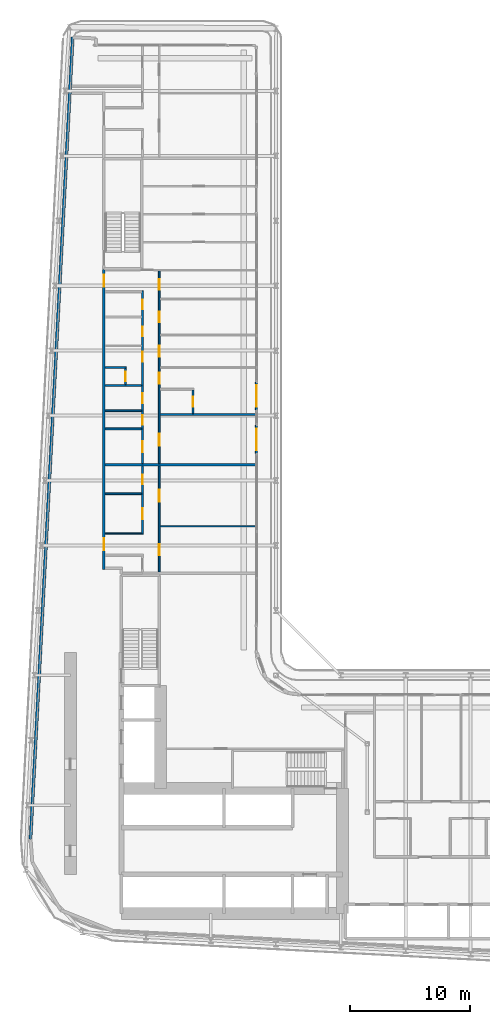
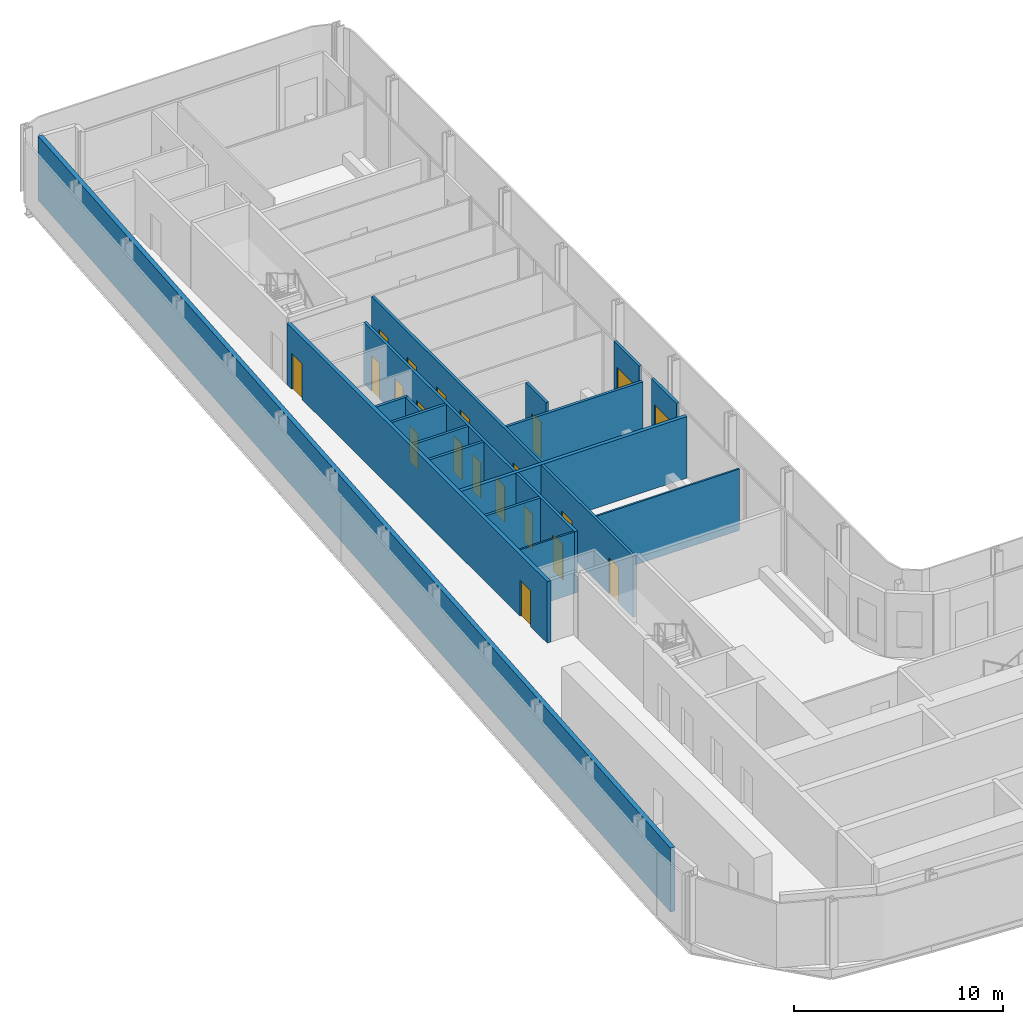
# One storey, part 16 of 27: 21 doors, 19 walls, 21 openings.
"""IFC4 building model written with IfcOpenShell, lengths in metres."""

from ifc_helpers import new_model, si_unit, direction, frame, frame_2d, origin, place, context, subcontext, project, spatial, rectangle, extrude, source, transform, mapped, material, layer, layer_set, type_object, element, fill, save


model = new_model("IFC4")

# Units and contexts
model_context = context("Model", 3, precision=1e-05, world=origin(), true_north=direction((0.0, 1.0)))
body_context = subcontext(model_context, "Body", "Model", "MODEL_VIEW")
ifc_project = project(units=[si_unit("LENGTHUNIT", "METRE"), si_unit("AREAUNIT", "SQUARE_METRE"), si_unit("VOLUMEUNIT", "CUBIC_METRE"), si_unit("PLANEANGLEUNIT", "RADIAN"), si_unit("MASSUNIT", "GRAM", prefix="KILO")], contexts=[model_context])

# Site, building, storey
site_placement = place(None, origin())
site = spatial("IfcSite", under=ifc_project, at=site_placement, CompositionType="ELEMENT")
building_placement = place(site_placement, origin())
building = spatial("IfcBuilding", under=site, at=building_placement, Name="Kheshtan School and Residences Tower", CompositionType="ELEMENT")
storey_placement = place(building_placement, frame((0.0, 0.0, 50.0)))
storey = spatial("IfcBuildingStorey", under=building, at=storey_placement, Name="L11", CompositionType="ELEMENT", Elevation=50.0)

# Wall, openings, doors
ifc_material_1 = material(Name="Gypsum board on steel studs with fire boards", Category="steel")
ifc_layer_1 = layer(ifc_material_1, 0.199951171875)
ifc_layer_set_1 = layer_set([ifc_layer_1], Name="Corridor wall 200")
wall_type_1 = type_object("IfcWallType", Name="Corridor wall 200", PredefinedType="PARTITIONING", material=ifc_layer_set_1)
wall_1_placement = place(storey_placement, frame((33.300048828125, 54.39990234375, 0.0), z_axis=(0.0, 0.0, 1.0), x_axis=(0.0, 1.0, 0.0)))
wall_1 = element("IfcWall", 1, at=wall_1_placement, inside=storey, type_object=wall_type_1, Name="Partition L11-003", PredefinedType="PARTITIONING", context=body_context, shape_type="SweptSolid", body=[
    extrude(rectangle(XDim=24.9501953125, YDim=0.199951171875, at=frame_2d((12.47509765625, 0.0))), origin(), (0.0, 0.0, 1.0), 3.60009765625),
])
opening_1_placement = place(wall_1_placement, frame((1.60009765625, 0.0, 0.0)))
opening_1 = element("IfcOpeningElement", 2, at=opening_1_placement, cuts=wall_1, Name="Opening D10-028", PredefinedType="OPENING", context=body_context, shape_type="SweptSolid", body=[
    extrude(rectangle(XDim=1.0, YDim=2.10009765625, at=frame_2d((0.5, 1.050048828125))), frame((0.0, 0.10986328125, 0.0), z_axis=(0.0, -1.0, 0.0), x_axis=(1.0, 0.0, 0.0)), (0.0, 0.0, 1.0), 0.219970703125),
])
opening_2_placement = place(wall_1_placement, frame((23.5, 0.0, 0.0)))
opening_2 = element("IfcOpeningElement", 3, at=opening_2_placement, cuts=wall_1, Name="Opening D10-038", PredefinedType="OPENING", context=body_context, shape_type="SweptSolid", body=[
    extrude(rectangle(XDim=1.0, YDim=2.10009765625, at=frame_2d((0.5, 1.050048828125))), frame((0.0, 0.10986328125, 0.0), z_axis=(0.0, -1.0, 0.0), x_axis=(1.0, 0.0, 0.0)), (0.0, 0.0, 1.0), 0.219970703125),
])
ifc_material_2 = material(Name="Steel-framed fire-resisting door leaf", Category="steel")
door_type_1 = type_object("IfcDoorType", Name="Fire door FD30S 1000 x 2100", OperationType="SINGLE_SWING_LEFT", PredefinedType="DOOR", material=ifc_material_2)
shared_shape_1 = source(origin(), body_context, "Body", "SweptSolid", [
    extrude(rectangle(XDim=1.0, YDim=2.10009765625, at=frame_2d((0.5, 1.050048828125))), frame((0.0, 0.02490234375, 0.0), z_axis=(0.0, -1.0, 0.0), x_axis=(1.0, 0.0, 0.0)), (0.0, 0.0, 1.0), 0.050048828125),
])
door_1_placement = place(opening_1_placement, origin())
door_1 = element("IfcDoor", 4, at=door_1_placement, inside=storey, type_object=door_type_1, Name="Door D10-028", OperationType="SINGLE_SWING_LEFT", OverallHeight=2.10009765625, OverallWidth=1.0, PredefinedType="DOOR", context=body_context, shape_type="MappedRepresentation", body=[
    mapped(shared_shape_1, transform((0.0, 0.0, 0.0), x_axis=(1.0, 0.0, 0.0), y_axis=(0.0, 1.0, 0.0), z_axis=(0.0, 0.0, 1.0), scale=1.0)),
])
fill(opening_1, door_1)
door_2_placement = place(opening_2_placement, origin())
door_2 = element("IfcDoor", 5, at=door_2_placement, inside=storey, type_object=door_type_1, Name="Door D10-038", OperationType="SINGLE_SWING_RIGHT", OverallHeight=2.10009765625, OverallWidth=1.0, PredefinedType="DOOR", context=body_context, shape_type="MappedRepresentation", body=[
    mapped(shared_shape_1, transform((0.0, 0.0, 0.0), x_axis=(1.0, 0.0, 0.0), y_axis=(0.0, 1.0, 0.0), z_axis=(0.0, 0.0, 1.0), scale=1.0)),
])
fill(opening_2, door_2)

# Wall
ifc_material_3 = material(Name="Concrete C40/50 with ceramic cladding and mineral wool insulation", Category="concrete")
ifc_layer_2 = layer(ifc_material_3, 0.25)
ifc_layer_set_2 = layer_set([ifc_layer_2], Name="External wall 250 ceramic clad")
wall_type_2 = type_object("IfcWallType", Name="External wall 250 ceramic clad", PredefinedType="SOLIDWALL", material=ifc_layer_set_2)
wall_2_placement = place(storey_placement, frame((27.195068359375, 31.968994140625, 0.0), z_axis=(0.0, 0.0, 1.0), x_axis=(0.052554995867, 0.998618031286, 0.0)))
element("IfcWall", 6, at=wall_2_placement, inside=storey, type_object=wall_type_2, Name="External wall L11 4", PredefinedType="SOLIDWALL", context=body_context, shape_type="SweptSolid", body=[
    extrude(rectangle(XDim=66.787353515625, YDim=0.25, at=frame_2d((33.3935546875, 0.0))), origin(), (0.0, 0.0, 1.0), 3.75),
])

# Wall, opening, door
ifc_material_4 = material(Name="Aluminium frame wall with insulated infill", Category="aluminium")
ifc_layer_3 = layer(ifc_material_4, 0.14990234375)
ifc_layer_set_3 = layer_set([ifc_layer_3], Name="Glazing frame wall 150")
wall_type_3 = type_object("IfcWallType", Name="Glazing frame wall 150", PredefinedType="SOLIDWALL", material=ifc_layer_set_3)
wall_3_placement = place(storey_placement, frame((45.97509765625, 70.01806640625, 0.0), z_axis=(0.0, 0.0, 1.0), x_axis=(0.0, -1.0, 0.0)))
wall_3 = element("IfcWall", 7, at=wall_3_placement, inside=storey, type_object=wall_type_3, Name="Balcony door wall L11 8.3", PredefinedType="SOLIDWALL", context=body_context, shape_type="SweptSolid", body=[
    extrude(rectangle(XDim=2.400146484375, YDim=0.14990234375, at=frame_2d((1.2001953125, 0.0))), origin(), (0.0, 0.0, 1.0), 3.75),
])
opening_3_placement = place(wall_3_placement, frame((0.300048828125, 0.0, 0.0)))
opening_3 = element("IfcOpeningElement", 8, at=opening_3_placement, cuts=wall_3, Name="Opening BD", PredefinedType="OPENING", context=body_context, shape_type="SweptSolid", body=[
    extrude(rectangle(XDim=1.800048828125, YDim=2.39990234375, at=frame_2d((0.89990234375, 1.199951171875))), frame((0.0, 0.0849609375, 0.0), z_axis=(0.0, -1.0, 0.0), x_axis=(1.0, 0.0, 0.0)), (0.0, 0.0, 1.0), 0.169921875),
])
ifc_material_5 = material(Name="Clear low-e glass in thermally broken aluminium frame", Category="aluminium")
door_type_2 = type_object("IfcDoorType", Name="Balcony sliding door", OperationType="SLIDING_TO_LEFT", PredefinedType="DOOR", material=ifc_material_5)
shared_shape_2 = source(origin(), body_context, "Body", "SweptSolid", [
    extrude(rectangle(XDim=1.800048828125, YDim=2.39990234375, at=frame_2d((0.89990234375, 1.199951171875))), frame((0.0, 0.02490234375, 0.0), z_axis=(0.0, -1.0, 0.0), x_axis=(1.0, 0.0, 0.0)), (0.0, 0.0, 1.0), 0.050048828125),
])
door_3_placement = place(opening_3_placement, origin())
door_3 = element("IfcDoor", 9, at=door_3_placement, inside=storey, type_object=door_type_2, Name="Balcony door L11 8.3", OperationType="SLIDING_TO_LEFT", OverallHeight=2.39990234375, OverallWidth=1.800048828125, PredefinedType="DOOR", context=body_context, shape_type="MappedRepresentation", body=[
    mapped(shared_shape_2, transform((0.0, 0.0, 0.0), x_axis=(1.0, 0.0, 0.0), y_axis=(0.0, 1.0, 0.0), z_axis=(0.0, 0.0, 1.0), scale=1.0)),
])
fill(opening_3, door_3)

wall_4_placement = place(storey_placement, frame((45.97509765625, 66.41796875, 0.0), z_axis=(0.0, 0.0, 1.0), x_axis=(0.0, -1.0, 0.0)))
wall_4 = element("IfcWall", 10, at=wall_4_placement, inside=storey, type_object=wall_type_3, Name="Balcony door wall L11 8.4", PredefinedType="SOLIDWALL", context=body_context, shape_type="SweptSolid", body=[
    extrude(rectangle(XDim=2.39990234375, YDim=0.14990234375, at=frame_2d((1.199951171875, 0.0))), origin(), (0.0, 0.0, 1.0), 3.75),
])
opening_4_placement = place(wall_4_placement, frame((0.300048828125, 0.0, 0.0)))
opening_4 = element("IfcOpeningElement", 11, at=opening_4_placement, cuts=wall_4, Name="Opening BD", PredefinedType="OPENING", context=body_context, shape_type="SweptSolid", body=[
    extrude(rectangle(XDim=1.800048828125, YDim=2.39990234375, at=frame_2d((0.89990234375, 1.199951171875))), frame((0.0, 0.0849609375, 0.0), z_axis=(0.0, -1.0, 0.0), x_axis=(1.0, 0.0, 0.0)), (0.0, 0.0, 1.0), 0.169921875),
])
door_4_placement = place(opening_4_placement, origin())
door_4 = element("IfcDoor", 12, at=door_4_placement, inside=storey, type_object=door_type_2, Name="Balcony door L11 8.4", OperationType="SLIDING_TO_LEFT", OverallHeight=2.39990234375, OverallWidth=1.800048828125, PredefinedType="DOOR", context=body_context, shape_type="MappedRepresentation", body=[
    mapped(shared_shape_2, transform((0.0, 0.0, 0.0), x_axis=(1.0, 0.0, 0.0), y_axis=(0.0, 1.0, 0.0), z_axis=(0.0, 0.0, 1.0), scale=1.0)),
])
fill(opening_4, door_4)

# Walls
ifc_material_6 = material(Name="Gypsum board on steel studs", Category="steel")
ifc_layer_4 = layer(ifc_material_6, 0.10009765625)
ifc_layer_set_4 = layer_set([ifc_layer_4], Name="Gypsum partition 100")
wall_type_4 = type_object("IfcWallType", Name="Gypsum partition 100", PredefinedType="PARTITIONING", material=ifc_layer_set_4)
wall_5_placement = place(storey_placement, frame((33.39990234375, 57.39990234375, 0.0), z_axis=(0.0, 0.0, 1.0), x_axis=(1.0, 0.0, 0.0)))
element("IfcWall", 13, at=wall_5_placement, inside=storey, type_object=wall_type_4, Name="Partition L11-007", PredefinedType="PARTITIONING", context=body_context, shape_type="SweptSolid", body=[
    extrude(rectangle(XDim=3.025146484375, YDim=0.10009765625, at=frame_2d((1.5126953125, 0.0))), origin(), (0.0, 0.0, 1.0), 3.60009765625),
])
wall_6_placement = place(storey_placement, frame((37.97509765625, 58.0, 0.0), z_axis=(0.0, 0.0, 1.0), x_axis=(1.0, 0.0, 0.0)))
element("IfcWall", 14, at=wall_6_placement, inside=storey, type_object=wall_type_4, Name="Partition L11-037", PredefinedType="PARTITIONING", context=body_context, shape_type="SweptSolid", body=[
    extrude(rectangle(XDim=7.9248046875, YDim=0.10009765625, at=frame_2d((3.96240234375, 0.0))), origin(), (0.0, 0.0, 1.0), 3.60009765625),
])
ifc_material_7 = material(Name="Twin gypsum board on steel studs with mineral wool", Category="steel")
ifc_layer_5 = layer(ifc_material_7, 0.199951171875)
ifc_layer_set_5 = layer_set([ifc_layer_5], Name="Unit demising wall 200")
wall_type_5 = type_object("IfcWallType", Name="Unit demising wall 200", PredefinedType="PARTITIONING", material=ifc_layer_set_5)
wall_7_placement = place(storey_placement, frame((33.39990234375, 63.10009765625, 0.0), z_axis=(0.0, 0.0, 1.0), x_axis=(1.0, 0.0, 0.0)))
element("IfcWall", 15, at=wall_7_placement, inside=storey, type_object=wall_type_5, Name="Partition L11-009", PredefinedType="PARTITIONING", context=body_context, shape_type="SweptSolid", body=[
    extrude(rectangle(XDim=12.5, YDim=0.199951171875, at=frame_2d((6.25, 0.0))), origin(), (0.0, 0.0, 1.0), 3.60009765625),
])
ifc_material_8 = material(Name="Moisture-resistant gypsum board on steel studs", Category="steel")
ifc_layer_6 = layer(ifc_material_8, 0.14990234375)
ifc_layer_set_6 = layer_set([ifc_layer_6], Name="Wet-room partition 150")
wall_type_6 = type_object("IfcWallType", Name="Wet-room partition 150", PredefinedType="PARTITIONING", material=ifc_layer_set_6)
for number, where, z_axis, x_axis, name in (
    (16, (33.39990234375, 60.699951171875, 0.0), (0.0, 0.0, 1.0), (1.0, 0.0, 0.0), "Partition L11-008"),
    (17, (33.39990234375, 66.10009765625, 0.0), (0.0, 0.0, 1.0), (1.0, 0.0, 0.0), "Partition L11-010"),
    (18, (33.39990234375, 67.60009765625, 0.0), (0.0, 0.0, 1.0), (1.0, 0.0, 0.0), "Partition L11-011"),
    (19, (33.39990234375, 69.699951171875, 0.0), (0.0, 0.0, 1.0), (1.0, 0.0, 0.0), "Partition L11-012"),
):
    element("IfcWall", number, at=place(storey_placement, frame(where, z_axis=z_axis, x_axis=x_axis)), inside=storey, type_object=wall_type_6, Name=name, PredefinedType="PARTITIONING", context=body_context, shape_type="SweptSolid", body=[
        extrude(rectangle(XDim=3.025146484375, YDim=0.14990234375, at=frame_2d((1.5126953125, 0.0))), origin(), (0.0, 0.0, 1.0), 3.60009765625),
    ])
wall_8_placement = place(storey_placement, frame((33.39990234375, 71.199951171875, 0.0), z_axis=(0.0, 0.0, 1.0), x_axis=(1.0, 0.0, 0.0)))
element("IfcWall", 20, at=wall_8_placement, inside=storey, type_object=wall_type_6, Name="Partition L11-013", PredefinedType="PARTITIONING", context=body_context, shape_type="SweptSolid", body=[
    extrude(rectangle(XDim=1.775146484375, YDim=0.14990234375, at=frame_2d((0.8876953125, 0.0))), origin(), (0.0, 0.0, 1.0), 3.60009765625),
])

# Wall, opening, door
wall_9_placement = place(storey_placement, frame((35.10009765625, 69.77490234375, 0.0), z_axis=(0.0, 0.0, 1.0), x_axis=(0.0, 1.0, 0.0)))
wall_9 = element("IfcWall", 21, at=wall_9_placement, inside=storey, type_object=wall_type_6, Name="Partition L11-022", PredefinedType="PARTITIONING", context=body_context, shape_type="SweptSolid", body=[
    extrude(rectangle(XDim=1.35009765625, YDim=0.14990234375, at=frame_2d((0.675048828125, 0.0))), origin(), (0.0, 0.0, 1.0), 3.60009765625),
])
opening_5_placement = place(wall_9_placement, frame((0.27490234375, 0.0, 0.0)))
opening_5 = element("IfcOpeningElement", 22, at=opening_5_placement, cuts=wall_9, Name="Opening D10-042", PredefinedType="OPENING", context=body_context, shape_type="SweptSolid", body=[
    extrude(rectangle(XDim=0.800048828125, YDim=2.10009765625, at=frame_2d((0.39990234375, 1.050048828125))), frame((0.0, 0.0849609375, 0.0), z_axis=(0.0, -1.0, 0.0), x_axis=(1.0, 0.0, 0.0)), (0.0, 0.0, 1.0), 0.169921875),
])
ifc_material_9 = material(Name="Veneered timber door leaf", Category="wood")
door_type_3 = type_object("IfcDoorType", Name="Door 800 x 2100", OperationType="SINGLE_SWING_LEFT", PredefinedType="DOOR", material=ifc_material_9)
shared_shape_3 = source(origin(), body_context, "Body", "SweptSolid", [
    extrude(rectangle(XDim=0.800048828125, YDim=2.10009765625, at=frame_2d((0.39990234375, 1.050048828125))), frame((0.0, 0.02490234375, 0.0), z_axis=(0.0, -1.0, 0.0), x_axis=(1.0, 0.0, 0.0)), (0.0, 0.0, 1.0), 0.050048828125),
])
door_5_placement = place(opening_5_placement, origin())
door_5 = element("IfcDoor", 23, at=door_5_placement, inside=storey, type_object=door_type_3, Name="Door D10-042", OperationType="SINGLE_SWING_LEFT", OverallHeight=2.10009765625, OverallWidth=0.800048828125, PredefinedType="DOOR", context=body_context, shape_type="MappedRepresentation", body=[
    mapped(shared_shape_3, transform((0.0, 0.0, 0.0), x_axis=(1.0, 0.0, 0.0), y_axis=(0.0, 1.0, 0.0), z_axis=(0.0, 0.0, 1.0), scale=1.0)),
])
fill(opening_5, door_5)

# Wall, openings, doors
wall_10_placement = place(storey_placement, frame((36.5, 57.35009765625, 0.0), z_axis=(0.0, 0.0, 1.0), x_axis=(0.0, 1.0, 0.0)))
wall_10 = element("IfcWall", 24, at=wall_10_placement, inside=storey, type_object=wall_type_6, Name="Partition L11-026", PredefinedType="PARTITIONING", context=body_context, shape_type="SweptSolid", body=[
    extrude(rectangle(XDim=5.64990234375, YDim=0.14990234375, at=frame_2d((2.824951171875, 0.0))), origin(), (0.0, 0.0, 1.0), 3.60009765625),
])
opening_6_placement = place(wall_10_placement, frame((4.14990234375, 0.0, 0.0)))
opening_6 = element("IfcOpeningElement", 25, at=opening_6_placement, cuts=wall_10, Name="Opening D10-026", PredefinedType="OPENING", context=body_context, shape_type="SweptSolid", body=[
    extrude(rectangle(XDim=0.800048828125, YDim=2.10009765625, at=frame_2d((0.39990234375, 1.050048828125))), frame((0.0, 0.0849609375, 0.0), z_axis=(0.0, -1.0, 0.0), x_axis=(1.0, 0.0, 0.0)), (0.0, 0.0, 1.0), 0.169921875),
])
opening_7_placement = place(wall_10_placement, frame((1.25, 0.0, 0.0)))
opening_7 = element("IfcOpeningElement", 26, at=opening_7_placement, cuts=wall_10, Name="Opening D10-029", PredefinedType="OPENING", context=body_context, shape_type="SweptSolid", body=[
    extrude(rectangle(XDim=0.89990234375, YDim=2.10009765625, at=frame_2d((0.449951171875, 1.050048828125))), frame((0.0, 0.0849609375, 0.0), z_axis=(0.0, -1.0, 0.0), x_axis=(1.0, 0.0, 0.0)), (0.0, 0.0, 1.0), 0.169921875),
])
door_6_placement = place(opening_6_placement, origin())
door_6 = element("IfcDoor", 27, at=door_6_placement, inside=storey, type_object=door_type_3, Name="Door D10-026", OperationType="SINGLE_SWING_RIGHT", OverallHeight=2.10009765625, OverallWidth=0.800048828125, PredefinedType="DOOR", context=body_context, shape_type="MappedRepresentation", body=[
    mapped(shared_shape_3, transform((0.0, 0.0, 0.0), x_axis=(1.0, 0.0, 0.0), y_axis=(0.0, 1.0, 0.0), z_axis=(0.0, 0.0, 1.0), scale=1.0)),
])
fill(opening_6, door_6)
door_type_4 = type_object("IfcDoorType", Name="Door 900 x 2100", OperationType="SINGLE_SWING_LEFT", PredefinedType="DOOR", material=ifc_material_9)
shared_shape_4 = source(origin(), body_context, "Body", "SweptSolid", [
    extrude(rectangle(XDim=0.89990234375, YDim=2.10009765625, at=frame_2d((0.449951171875, 1.050048828125))), frame((0.0, 0.02490234375, 0.0), z_axis=(0.0, -1.0, 0.0), x_axis=(1.0, 0.0, 0.0)), (0.0, 0.0, 1.0), 0.050048828125),
])
door_7_placement = place(opening_7_placement, origin())
door_7 = element("IfcDoor", 28, at=door_7_placement, inside=storey, type_object=door_type_4, Name="Door D10-029", OperationType="SINGLE_SWING_RIGHT", OverallHeight=2.10009765625, OverallWidth=0.89990234375, PredefinedType="DOOR", context=body_context, shape_type="MappedRepresentation", body=[
    mapped(shared_shape_4, transform((0.0, 0.0, 0.0), x_axis=(1.0, 0.0, 0.0), y_axis=(0.0, 1.0, 0.0), z_axis=(0.0, 0.0, 1.0), scale=1.0)),
])
fill(opening_7, door_7)

wall_11_placement = place(storey_placement, frame((36.5, 63.199951171875, 0.0), z_axis=(0.0, 0.0, 1.0), x_axis=(0.0, 1.0, 0.0)))
wall_11 = element("IfcWall", 29, at=wall_11_placement, inside=storey, type_object=wall_type_6, Name="Partition L11-027", PredefinedType="PARTITIONING", context=body_context, shape_type="SweptSolid", body=[
    extrude(rectangle(XDim=14.375, YDim=0.14990234375, at=frame_2d((7.1875, 0.0))), origin(), (0.0, 0.0, 1.0), 3.60009765625),
])
opening_8_placement = place(wall_11_placement, frame((5.050048828125, 0.0, 0.0)))
opening_8 = element("IfcOpeningElement", 30, at=opening_8_placement, cuts=wall_11, Name="Opening D10-032", PredefinedType="OPENING", context=body_context, shape_type="SweptSolid", body=[
    extrude(rectangle(XDim=0.800048828125, YDim=2.10009765625, at=frame_2d((0.39990234375, 1.050048828125))), frame((0.0, 0.0849609375, 0.0), z_axis=(0.0, -1.0, 0.0), x_axis=(1.0, 0.0, 0.0)), (0.0, 0.0, 1.0), 0.169921875),
])
opening_9_placement = place(wall_11_placement, frame((12.85009765625, 0.0, 0.0)))
opening_9 = element("IfcOpeningElement", 31, at=opening_9_placement, cuts=wall_11, Name="Opening D10-033", PredefinedType="OPENING", context=body_context, shape_type="SweptSolid", body=[
    extrude(rectangle(XDim=0.800048828125, YDim=2.10009765625, at=frame_2d((0.39990234375, 1.050048828125))), frame((0.0, 0.0849609375, 0.0), z_axis=(0.0, -1.0, 0.0), x_axis=(1.0, 0.0, 0.0)), (0.0, 0.0, 1.0), 0.169921875),
])
opening_10_placement = place(wall_11_placement, frame((10.60009765625, 0.0, 0.0)))
opening_10 = element("IfcOpeningElement", 32, at=opening_10_placement, cuts=wall_11, Name="Opening D10-036", PredefinedType="OPENING", context=body_context, shape_type="SweptSolid", body=[
    extrude(rectangle(XDim=0.800048828125, YDim=2.10009765625, at=frame_2d((0.39990234375, 1.050048828125))), frame((0.0, 0.0849609375, 0.0), z_axis=(0.0, -1.0, 0.0), x_axis=(1.0, 0.0, 0.0)), (0.0, 0.0, 1.0), 0.169921875),
])
opening_11_placement = place(wall_11_placement, frame((0.949951171875, 0.0, 0.0)))
opening_11 = element("IfcOpeningElement", 33, at=opening_11_placement, cuts=wall_11, Name="Opening D10-039", PredefinedType="OPENING", context=body_context, shape_type="SweptSolid", body=[
    extrude(rectangle(XDim=0.89990234375, YDim=2.10009765625, at=frame_2d((0.449951171875, 1.050048828125))), frame((0.0, 0.0849609375, 0.0), z_axis=(0.0, -1.0, 0.0), x_axis=(1.0, 0.0, 0.0)), (0.0, 0.0, 1.0), 0.169921875),
])
opening_12_placement = place(wall_11_placement, frame((8.5, 0.0, 0.0)))
opening_12 = element("IfcOpeningElement", 34, at=opening_12_placement, cuts=wall_11, Name="Opening D10-041", PredefinedType="OPENING", context=body_context, shape_type="SweptSolid", body=[
    extrude(rectangle(XDim=0.800048828125, YDim=2.10009765625, at=frame_2d((0.39990234375, 1.050048828125))), frame((0.0, 0.0849609375, 0.0), z_axis=(0.0, -1.0, 0.0), x_axis=(1.0, 0.0, 0.0)), (0.0, 0.0, 1.0), 0.169921875),
])
opening_13_placement = place(wall_11_placement, frame((3.25, 0.0, 0.0)))
opening_13 = element("IfcOpeningElement", 35, at=opening_13_placement, cuts=wall_11, Name="Opening D10-045", PredefinedType="OPENING", context=body_context, shape_type="SweptSolid", body=[
    extrude(rectangle(XDim=0.800048828125, YDim=2.10009765625, at=frame_2d((0.39990234375, 1.050048828125))), frame((0.0, 0.0849609375, 0.0), z_axis=(0.0, -1.0, 0.0), x_axis=(1.0, 0.0, 0.0)), (0.0, 0.0, 1.0), 0.169921875),
])
door_8_placement = place(opening_8_placement, origin())
door_8 = element("IfcDoor", 36, at=door_8_placement, inside=storey, type_object=door_type_3, Name="Door D10-032", OperationType="SINGLE_SWING_RIGHT", OverallHeight=2.10009765625, OverallWidth=0.800048828125, PredefinedType="DOOR", context=body_context, shape_type="MappedRepresentation", body=[
    mapped(shared_shape_3, transform((0.0, 0.0, 0.0), x_axis=(1.0, 0.0, 0.0), y_axis=(0.0, 1.0, 0.0), z_axis=(0.0, 0.0, 1.0), scale=1.0)),
])
fill(opening_8, door_8)
door_9_placement = place(opening_9_placement, origin())
door_9 = element("IfcDoor", 37, at=door_9_placement, inside=storey, type_object=door_type_3, Name="Door D10-033", OperationType="SINGLE_SWING_RIGHT", OverallHeight=2.10009765625, OverallWidth=0.800048828125, PredefinedType="DOOR", context=body_context, shape_type="MappedRepresentation", body=[
    mapped(shared_shape_3, transform((0.0, 0.0, 0.0), x_axis=(1.0, 0.0, 0.0), y_axis=(0.0, 1.0, 0.0), z_axis=(0.0, 0.0, 1.0), scale=1.0)),
])
fill(opening_9, door_9)
door_10_placement = place(opening_10_placement, origin())
door_10 = element("IfcDoor", 38, at=door_10_placement, inside=storey, type_object=door_type_3, Name="Door D10-036", OperationType="SINGLE_SWING_RIGHT", OverallHeight=2.10009765625, OverallWidth=0.800048828125, PredefinedType="DOOR", context=body_context, shape_type="MappedRepresentation", body=[
    mapped(shared_shape_3, transform((0.0, 0.0, 0.0), x_axis=(1.0, 0.0, 0.0), y_axis=(0.0, 1.0, 0.0), z_axis=(0.0, 0.0, 1.0), scale=1.0)),
])
fill(opening_10, door_10)
door_11_placement = place(opening_12_placement, origin())
door_11 = element("IfcDoor", 39, at=door_11_placement, inside=storey, type_object=door_type_3, Name="Door D10-041", OperationType="SINGLE_SWING_RIGHT", OverallHeight=2.10009765625, OverallWidth=0.800048828125, PredefinedType="DOOR", context=body_context, shape_type="MappedRepresentation", body=[
    mapped(shared_shape_3, transform((0.0, 0.0, 0.0), x_axis=(1.0, 0.0, 0.0), y_axis=(0.0, 1.0, 0.0), z_axis=(0.0, 0.0, 1.0), scale=1.0)),
])
fill(opening_12, door_11)
door_12_placement = place(opening_13_placement, origin())
door_12 = element("IfcDoor", 40, at=door_12_placement, inside=storey, type_object=door_type_3, Name="Door D10-045", OperationType="SINGLE_SWING_RIGHT", OverallHeight=2.10009765625, OverallWidth=0.800048828125, PredefinedType="DOOR", context=body_context, shape_type="MappedRepresentation", body=[
    mapped(shared_shape_3, transform((0.0, 0.0, 0.0), x_axis=(1.0, 0.0, 0.0), y_axis=(0.0, 1.0, 0.0), z_axis=(0.0, 0.0, 1.0), scale=1.0)),
])
fill(opening_13, door_12)
door_13_placement = place(opening_11_placement, origin())
door_13 = element("IfcDoor", 41, at=door_13_placement, inside=storey, type_object=door_type_4, Name="Door D10-039", OperationType="SINGLE_SWING_RIGHT", OverallHeight=2.10009765625, OverallWidth=0.89990234375, PredefinedType="DOOR", context=body_context, shape_type="MappedRepresentation", body=[
    mapped(shared_shape_4, transform((0.0, 0.0, 0.0), x_axis=(1.0, 0.0, 0.0), y_axis=(0.0, 1.0, 0.0), z_axis=(0.0, 0.0, 1.0), scale=1.0)),
])
fill(opening_11, door_13)

wall_12_placement = place(storey_placement, frame((37.89990234375, 54.199951171875, 0.0), z_axis=(0.0, 0.0, 1.0), x_axis=(0.0, 1.0, 0.0)))
wall_12 = element("IfcWall", 42, at=wall_12_placement, inside=storey, type_object=wall_type_6, Name="Partition L11-033", PredefinedType="PARTITIONING", context=body_context, shape_type="SweptSolid", body=[
    extrude(rectangle(XDim=8.800048828125, YDim=0.14990234375, at=frame_2d((4.39990234375, 0.0))), origin(), (0.0, 0.0, 1.0), 3.60009765625),
])
opening_14_placement = place(wall_12_placement, frame((1.39990234375, 0.0, 0.0)))
opening_14 = element("IfcOpeningElement", 43, at=opening_14_placement, cuts=wall_12, Name="Opening D10-027", PredefinedType="OPENING", context=body_context, shape_type="SweptSolid", body=[
    extrude(rectangle(XDim=0.89990234375, YDim=2.10009765625, at=frame_2d((0.449951171875, 1.050048828125))), frame((0.0, 0.0849609375, 0.0), z_axis=(0.0, -1.0, 0.0), x_axis=(1.0, 0.0, 0.0)), (0.0, 0.0, 1.0), 0.169921875),
])
opening_15_placement = place(wall_12_placement, frame((5.85009765625, 0.0, 0.0)))
opening_15 = element("IfcOpeningElement", 44, at=opening_15_placement, cuts=wall_12, Name="Opening D10-030", PredefinedType="OPENING", context=body_context, shape_type="SweptSolid", body=[
    extrude(rectangle(XDim=1.0, YDim=2.10009765625, at=frame_2d((0.5, 1.050048828125))), frame((0.0, 0.0849609375, 0.0), z_axis=(0.0, -1.0, 0.0), x_axis=(1.0, 0.0, 0.0)), (0.0, 0.0, 1.0), 0.169921875),
])
door_type_5 = type_object("IfcDoorType", Name="Door 1000 x 2100", OperationType="SINGLE_SWING_LEFT", PredefinedType="DOOR", material=ifc_material_9)
shared_shape_5 = source(origin(), body_context, "Body", "SweptSolid", [
    extrude(rectangle(XDim=1.0, YDim=2.10009765625, at=frame_2d((0.5, 1.050048828125))), frame((0.0, 0.02490234375, 0.0), z_axis=(0.0, -1.0, 0.0), x_axis=(1.0, 0.0, 0.0)), (0.0, 0.0, 1.0), 0.050048828125),
])
door_14_placement = place(opening_15_placement, origin())
door_14 = element("IfcDoor", 45, at=door_14_placement, inside=storey, type_object=door_type_5, Name="Door D10-030", OperationType="SINGLE_SWING_RIGHT", OverallHeight=2.10009765625, OverallWidth=1.0, PredefinedType="DOOR", context=body_context, shape_type="MappedRepresentation", body=[
    mapped(shared_shape_5, transform((0.0, 0.0, 0.0), x_axis=(1.0, 0.0, 0.0), y_axis=(0.0, 1.0, 0.0), z_axis=(0.0, 0.0, 1.0), scale=1.0)),
])
fill(opening_15, door_14)
door_15_placement = place(opening_14_placement, origin())
door_15 = element("IfcDoor", 46, at=door_15_placement, inside=storey, type_object=door_type_4, Name="Door D10-027", OperationType="SINGLE_SWING_LEFT", OverallHeight=2.10009765625, OverallWidth=0.89990234375, PredefinedType="DOOR", context=body_context, shape_type="MappedRepresentation", body=[
    mapped(shared_shape_4, transform((0.0, 0.0, 0.0), x_axis=(1.0, 0.0, 0.0), y_axis=(0.0, 1.0, 0.0), z_axis=(0.0, 0.0, 1.0), scale=1.0)),
])
fill(opening_14, door_15)

wall_13_placement = place(storey_placement, frame((37.89990234375, 63.199951171875, 0.0), z_axis=(0.0, 0.0, 1.0), x_axis=(0.0, 1.0, 0.0)))
wall_13 = element("IfcWall", 47, at=wall_13_placement, inside=storey, type_object=wall_type_6, Name="Partition L11-034", PredefinedType="PARTITIONING", context=body_context, shape_type="SweptSolid", body=[
    extrude(rectangle(XDim=16.050048828125, YDim=0.14990234375, at=frame_2d((8.02490234375, 0.0))), origin(), (0.0, 0.0, 1.0), 3.60009765625),
])
opening_16_placement = place(wall_13_placement, frame((8.89990234375, 0.0, 0.0)))
opening_16 = element("IfcOpeningElement", 48, at=opening_16_placement, cuts=wall_13, Name="Opening D10-034", PredefinedType="OPENING", context=body_context, shape_type="SweptSolid", body=[
    extrude(rectangle(XDim=0.89990234375, YDim=2.10009765625, at=frame_2d((0.449951171875, 1.050048828125))), frame((0.0, 0.0849609375, 0.0), z_axis=(0.0, -1.0, 0.0), x_axis=(1.0, 0.0, 0.0)), (0.0, 0.0, 1.0), 0.169921875),
])
opening_17_placement = place(wall_13_placement, frame((11.75, 0.0, 0.0)))
opening_17 = element("IfcOpeningElement", 49, at=opening_17_placement, cuts=wall_13, Name="Opening D10-035", PredefinedType="OPENING", context=body_context, shape_type="SweptSolid", body=[
    extrude(rectangle(XDim=0.89990234375, YDim=2.10009765625, at=frame_2d((0.449951171875, 1.050048828125))), frame((0.0, 0.0849609375, 0.0), z_axis=(0.0, -1.0, 0.0), x_axis=(1.0, 0.0, 0.0)), (0.0, 0.0, 1.0), 0.169921875),
])
opening_18_placement = place(wall_13_placement, frame((1.5, 0.0, 0.0)))
opening_18 = element("IfcOpeningElement", 50, at=opening_18_placement, cuts=wall_13, Name="Opening D10-040", PredefinedType="OPENING", context=body_context, shape_type="SweptSolid", body=[
    extrude(rectangle(XDim=1.0, YDim=2.10009765625, at=frame_2d((0.5, 1.050048828125))), frame((0.0, 0.0849609375, 0.0), z_axis=(0.0, -1.0, 0.0), x_axis=(1.0, 0.0, 0.0)), (0.0, 0.0, 1.0), 0.169921875),
])
opening_19_placement = place(wall_13_placement, frame((14.449951171875, 0.0, 0.0)))
opening_19 = element("IfcOpeningElement", 51, at=opening_19_placement, cuts=wall_13, Name="Opening D10-043", PredefinedType="OPENING", context=body_context, shape_type="SweptSolid", body=[
    extrude(rectangle(XDim=0.89990234375, YDim=2.10009765625, at=frame_2d((0.449951171875, 1.050048828125))), frame((0.0, 0.0849609375, 0.0), z_axis=(0.0, -1.0, 0.0), x_axis=(1.0, 0.0, 0.0)), (0.0, 0.0, 1.0), 0.169921875),
])
opening_20_placement = place(wall_13_placement, frame((6.64990234375, 0.0, 0.0)))
opening_20 = element("IfcOpeningElement", 52, at=opening_20_placement, cuts=wall_13, Name="Opening D10-044", PredefinedType="OPENING", context=body_context, shape_type="SweptSolid", body=[
    extrude(rectangle(XDim=0.89990234375, YDim=2.10009765625, at=frame_2d((0.449951171875, 1.050048828125))), frame((0.0, 0.0849609375, 0.0), z_axis=(0.0, -1.0, 0.0), x_axis=(1.0, 0.0, 0.0)), (0.0, 0.0, 1.0), 0.169921875),
])
door_16_placement = place(opening_18_placement, origin())
door_16 = element("IfcDoor", 53, at=door_16_placement, inside=storey, type_object=door_type_5, Name="Door D10-040", OperationType="SINGLE_SWING_LEFT", OverallHeight=2.10009765625, OverallWidth=1.0, PredefinedType="DOOR", context=body_context, shape_type="MappedRepresentation", body=[
    mapped(shared_shape_5, transform((0.0, 0.0, 0.0), x_axis=(1.0, 0.0, 0.0), y_axis=(0.0, 1.0, 0.0), z_axis=(0.0, 0.0, 1.0), scale=1.0)),
])
fill(opening_18, door_16)
door_17_placement = place(opening_16_placement, origin())
door_17 = element("IfcDoor", 54, at=door_17_placement, inside=storey, type_object=door_type_4, Name="Door D10-034", OperationType="SINGLE_SWING_RIGHT", OverallHeight=2.10009765625, OverallWidth=0.89990234375, PredefinedType="DOOR", context=body_context, shape_type="MappedRepresentation", body=[
    mapped(shared_shape_4, transform((0.0, 0.0, 0.0), x_axis=(1.0, 0.0, 0.0), y_axis=(0.0, 1.0, 0.0), z_axis=(0.0, 0.0, 1.0), scale=1.0)),
])
fill(opening_16, door_17)
door_18_placement = place(opening_17_placement, origin())
door_18 = element("IfcDoor", 55, at=door_18_placement, inside=storey, type_object=door_type_4, Name="Door D10-035", OperationType="SINGLE_SWING_LEFT", OverallHeight=2.10009765625, OverallWidth=0.89990234375, PredefinedType="DOOR", context=body_context, shape_type="MappedRepresentation", body=[
    mapped(shared_shape_4, transform((0.0, 0.0, 0.0), x_axis=(1.0, 0.0, 0.0), y_axis=(0.0, 1.0, 0.0), z_axis=(0.0, 0.0, 1.0), scale=1.0)),
])
fill(opening_17, door_18)
door_19_placement = place(opening_19_placement, origin())
door_19 = element("IfcDoor", 56, at=door_19_placement, inside=storey, type_object=door_type_4, Name="Door D10-043", OperationType="SINGLE_SWING_LEFT", OverallHeight=2.10009765625, OverallWidth=0.89990234375, PredefinedType="DOOR", context=body_context, shape_type="MappedRepresentation", body=[
    mapped(shared_shape_4, transform((0.0, 0.0, 0.0), x_axis=(1.0, 0.0, 0.0), y_axis=(0.0, 1.0, 0.0), z_axis=(0.0, 0.0, 1.0), scale=1.0)),
])
fill(opening_19, door_19)
door_20_placement = place(opening_20_placement, origin())
door_20 = element("IfcDoor", 57, at=door_20_placement, inside=storey, type_object=door_type_4, Name="Door D10-044", OperationType="SINGLE_SWING_LEFT", OverallHeight=2.10009765625, OverallWidth=0.89990234375, PredefinedType="DOOR", context=body_context, shape_type="MappedRepresentation", body=[
    mapped(shared_shape_4, transform((0.0, 0.0, 0.0), x_axis=(1.0, 0.0, 0.0), y_axis=(0.0, 1.0, 0.0), z_axis=(0.0, 0.0, 1.0), scale=1.0)),
])
fill(opening_20, door_20)

# Wall
wall_14_placement = place(storey_placement, frame((37.97509765625, 67.300048828125, 0.0), z_axis=(0.0, 0.0, 1.0), x_axis=(1.0, 0.0, 0.0)))
element("IfcWall", 58, at=wall_14_placement, inside=storey, type_object=wall_type_6, Name="Partition L11-038", PredefinedType="PARTITIONING", context=body_context, shape_type="SweptSolid", body=[
    extrude(rectangle(XDim=7.9248046875, YDim=0.14990234375, at=frame_2d((3.96240234375, 0.0))), origin(), (0.0, 0.0, 1.0), 3.072021484375),
])

# Wall, opening, door
wall_15_placement = place(storey_placement, frame((40.699951171875, 67.375, 0.0), z_axis=(0.0, 0.0, 1.0), x_axis=(0.0, 1.0, 0.0)))
wall_15 = element("IfcWall", 59, at=wall_15_placement, inside=storey, type_object=wall_type_6, Name="Partition L11-044", PredefinedType="PARTITIONING", context=body_context, shape_type="SweptSolid", body=[
    extrude(rectangle(XDim=1.949951171875, YDim=0.14990234375, at=frame_2d((0.97509765625, 0.0))), origin(), (0.0, 0.0, 1.0), 3.60009765625),
])
opening_21_placement = place(wall_15_placement, frame((0.574951171875, 0.0, 0.0)))
opening_21 = element("IfcOpeningElement", 60, at=opening_21_placement, cuts=wall_15, Name="Opening D10-037", PredefinedType="OPENING", context=body_context, shape_type="SweptSolid", body=[
    extrude(rectangle(XDim=0.800048828125, YDim=2.10009765625, at=frame_2d((0.39990234375, 1.050048828125))), frame((0.0, 0.0849609375, 0.0), z_axis=(0.0, -1.0, 0.0), x_axis=(1.0, 0.0, 0.0)), (0.0, 0.0, 1.0), 0.169921875),
])
door_21_placement = place(opening_21_placement, origin())
door_21 = element("IfcDoor", 61, at=door_21_placement, inside=storey, type_object=door_type_3, Name="Door D10-037", OperationType="SINGLE_SWING_RIGHT", OverallHeight=2.10009765625, OverallWidth=0.800048828125, PredefinedType="DOOR", context=body_context, shape_type="MappedRepresentation", body=[
    mapped(shared_shape_3, transform((0.0, 0.0, 0.0), x_axis=(1.0, 0.0, 0.0), y_axis=(0.0, 1.0, 0.0), z_axis=(0.0, 0.0, 1.0), scale=1.0)),
])
fill(opening_21, door_21)

save(model, "model.ifc")
